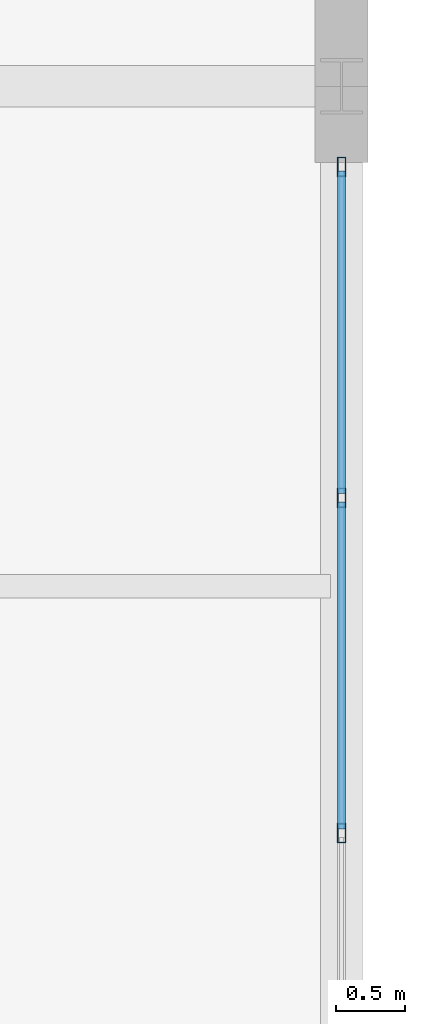
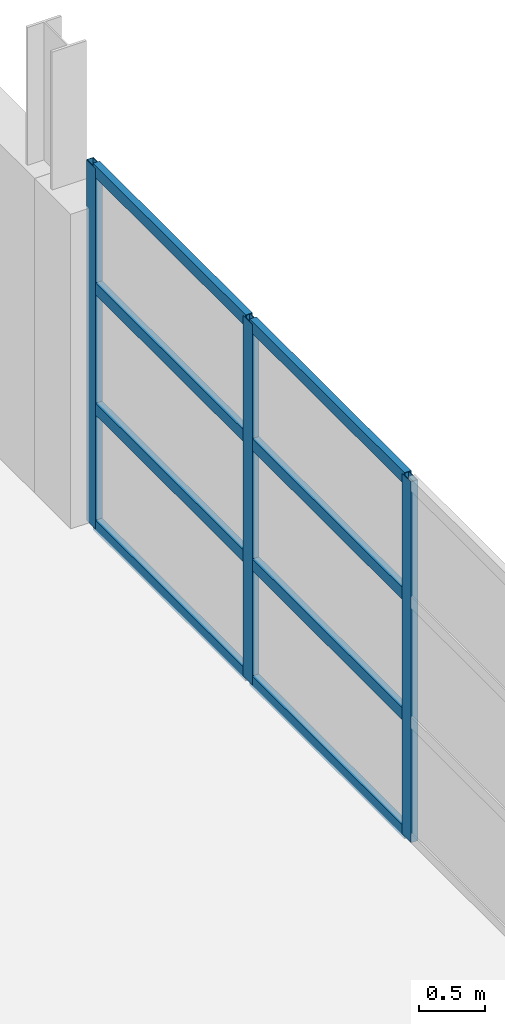
# One storey, part 111 of 158: 11 members, 1 element without a shape of its own.
"""IFC4 building model written with IfcOpenShell, lengths in metres."""

from ifc_helpers import new_model, si_unit, direction, frame, origin, origin_2d, place, context, subcontext, project, spatial, hollow_rectangle, extrude, material, layer, layer_set, material_profile, profile_set, type_object, element, aggregate, save


model = new_model("IFC4")

# Units and contexts
model_context = context("Model", 3, precision=1e-05, world=origin(), true_north=direction((0.0, 1.0)))
body_context = subcontext(model_context, "Body", "Model", "MODEL_VIEW")
ifc_project = project(units=[si_unit("LENGTHUNIT", "METRE"), si_unit("AREAUNIT", "SQUARE_METRE"), si_unit("VOLUMEUNIT", "CUBIC_METRE"), si_unit("PLANEANGLEUNIT", "RADIAN"), si_unit("MASSUNIT", "GRAM", prefix="KILO")], contexts=[model_context])

# Site, building, storey
site_placement = place(None, origin())
site = spatial("IfcSite", under=ifc_project, at=site_placement, CompositionType="ELEMENT")
building_placement = place(site_placement, origin())
building = spatial("IfcBuilding", under=site, at=building_placement, Name="Zilviju Railside Exhibition Hall", CompositionType="ELEMENT")
storey_placement = place(building_placement, frame((0.0, 0.0, 4.199951171875)))
storey = spatial("IfcBuildingStorey", under=building, at=storey_placement, Name="L02", CompositionType="ELEMENT", Elevation=4.199951171875)

# Curtain wall, members
ifc_material_1 = material(Name="Thermally broken aluminium-steel triple-glazed curtain wall", Category="steel")
ifc_layer = layer(ifc_material_1, 0.179931640625)
ifc_layer_set = layer_set([ifc_layer], Name="Thermally broken aluminium-steel triple-glazed curtain wall")
curtain_wall_type = type_object("IfcCurtainWallType", Name="CW-BAY-15", PredefinedType="USERDEFINED", material=ifc_layer_set)
curtain_wall_placement = place(storey_placement, origin())
curtain_wall = element("IfcCurtainWall", 1, at=curtain_wall_placement, inside=storey, type_object=curtain_wall_type, Name="North Hall East Glazed Gable L02 (84..102)", ObjectType="GLAZED CURTAIN WALL", PredefinedType="USERDEFINED")
ifc_material_2 = material(Name="Thermally broken anodized aluminium mullion", Category="aluminium")
ifc_material_profile_1 = material_profile(ifc_material_2, hollow_rectangle(XDim=0.06005859375, YDim=0.139892578125, WallThickness=0.0048828125, at=origin_2d()), Name="MULLION 140x60x5")
ifc_profile_set_1 = profile_set([ifc_material_profile_1], Name="Thermally broken anodized aluminium mullion")
member_type_1 = type_object("IfcMemberType", Name="CWM-60x140", PredefinedType="MULLION", material=ifc_profile_set_1)
member_1_placement = place(storey_placement, frame((216.0, 101.419921875, 0.0), z_axis=(0.0, 0.0, 1.0), x_axis=(1.0, 0.0, 0.0)))
member_1 = element("IfcMember", 2, at=member_1_placement, type_object=member_type_1, Name="CW-15 mullion 1", PredefinedType="MULLION", context=body_context, shape_type="SweptSolid", body=[
    extrude(hollow_rectangle(XDim=0.06005859375, YDim=0.139892578125, WallThickness=0.0048828125, at=origin_2d()), origin(), (0.0, 0.0, 1.0), 3.35009765625),
])
member_2_placement = place(storey_placement, frame((216.0, 99.03564453125, 0.0), z_axis=(0.0, 0.0, 1.0), x_axis=(1.0, 0.0, 0.0)))
member_2 = element("IfcMember", 3, at=member_2_placement, type_object=member_type_1, Name="CW-15 mullion 2", PredefinedType="MULLION", context=body_context, shape_type="SweptSolid", body=[
    extrude(hollow_rectangle(XDim=0.06005859375, YDim=0.139892578125, WallThickness=0.0048828125, at=origin_2d()), origin(), (0.0, 0.0, 1.0), 3.35009765625),
])
member_3_placement = place(storey_placement, frame((216.0, 96.621337890625, 0.0), z_axis=(0.0, 0.0, 1.0), x_axis=(1.0, 0.0, 0.0)))
member_3 = element("IfcMember", 4, at=member_3_placement, type_object=member_type_1, Name="CW-15 mullion 3", PredefinedType="MULLION", context=body_context, shape_type="SweptSolid", body=[
    extrude(hollow_rectangle(XDim=0.06005859375, YDim=0.139892578125, WallThickness=0.0048828125, at=origin_2d()), origin(), (0.0, 0.0, 1.0), 3.35009765625),
])
ifc_material_3 = material(Name="Thermally broken anodized aluminium transom", Category="aluminium")
ifc_material_profile_2 = material_profile(ifc_material_3, hollow_rectangle(XDim=0.06005859375, YDim=0.110107421875, WallThickness=0.0048828125, at=origin_2d()), Name="TRANSOM 110x60x5")
ifc_profile_set_2 = profile_set([ifc_material_profile_2], Name="Thermally broken anodized aluminium transom")
member_type_2 = type_object("IfcMemberType", Name="CWT-60x110", PredefinedType="USERDEFINED", material=ifc_profile_set_2)
member_4_placement = place(storey_placement, frame((216.0, 101.389892578125, 0.030029296875), z_axis=(0.0, -1.0, 0.0), x_axis=(1.0, 0.0, 0.0)))
member_4 = element("IfcMember", 5, at=member_4_placement, type_object=member_type_2, Name="CW-15 transom 1.1", ObjectType="TRANSOM", PredefinedType="USERDEFINED", context=body_context, shape_type="SweptSolid", body=[
    extrude(hollow_rectangle(XDim=0.06005859375, YDim=0.110107421875, WallThickness=0.0048828125, at=origin_2d()), origin(), (0.0, 0.0, 1.0), 2.32421875),
])
member_5_placement = place(storey_placement, frame((216.0, 101.389892578125, 1.116943359375), z_axis=(0.0, -1.0, 0.0), x_axis=(1.0, 0.0, 0.0)))
member_5 = element("IfcMember", 6, at=member_5_placement, type_object=member_type_2, Name="CW-15 transom 1.2", ObjectType="TRANSOM", PredefinedType="USERDEFINED", context=body_context, shape_type="SweptSolid", body=[
    extrude(hollow_rectangle(XDim=0.06005859375, YDim=0.110107421875, WallThickness=0.0048828125, at=origin_2d()), origin(), (0.0, 0.0, 1.0), 2.32421875),
])
member_6_placement = place(storey_placement, frame((216.0, 101.389892578125, 2.233154296875), z_axis=(0.0, -1.0, 0.0), x_axis=(1.0, 0.0, 0.0)))
member_6 = element("IfcMember", 7, at=member_6_placement, type_object=member_type_2, Name="CW-15 transom 1.3", ObjectType="TRANSOM", PredefinedType="USERDEFINED", context=body_context, shape_type="SweptSolid", body=[
    extrude(hollow_rectangle(XDim=0.06005859375, YDim=0.110107421875, WallThickness=0.0048828125, at=origin_2d()), origin(), (0.0, 0.0, 1.0), 2.32421875),
])
member_7_placement = place(storey_placement, frame((216.0, 101.389892578125, 3.320068359375), z_axis=(0.0, -1.0, 0.0), x_axis=(1.0, 0.0, 0.0)))
member_7 = element("IfcMember", 8, at=member_7_placement, type_object=member_type_2, Name="CW-15 transom 1.4", ObjectType="TRANSOM", PredefinedType="USERDEFINED", context=body_context, shape_type="SweptSolid", body=[
    extrude(hollow_rectangle(XDim=0.06005859375, YDim=0.110107421875, WallThickness=0.0048828125, at=origin_2d()), origin(), (0.0, 0.0, 1.0), 2.32421875),
])
member_8_placement = place(storey_placement, frame((216.0, 99.005615234375, 0.030029296875), z_axis=(0.0, -1.0, 0.0), x_axis=(1.0, 0.0, 0.0)))
member_8 = element("IfcMember", 9, at=member_8_placement, type_object=member_type_2, Name="CW-15 transom 2.1", ObjectType="TRANSOM", PredefinedType="USERDEFINED", context=body_context, shape_type="SweptSolid", body=[
    extrude(hollow_rectangle(XDim=0.06005859375, YDim=0.110107421875, WallThickness=0.0048828125, at=origin_2d()), origin(), (0.0, 0.0, 1.0), 2.354248046875),
])
member_9_placement = place(storey_placement, frame((216.0, 99.005615234375, 1.116943359375), z_axis=(0.0, -1.0, 0.0), x_axis=(1.0, 0.0, 0.0)))
member_9 = element("IfcMember", 10, at=member_9_placement, type_object=member_type_2, Name="CW-15 transom 2.2", ObjectType="TRANSOM", PredefinedType="USERDEFINED", context=body_context, shape_type="SweptSolid", body=[
    extrude(hollow_rectangle(XDim=0.06005859375, YDim=0.110107421875, WallThickness=0.0048828125, at=origin_2d()), origin(), (0.0, 0.0, 1.0), 2.354248046875),
])
member_10_placement = place(storey_placement, frame((216.0, 99.005615234375, 2.233154296875), z_axis=(0.0, -1.0, 0.0), x_axis=(1.0, 0.0, 0.0)))
member_10 = element("IfcMember", 11, at=member_10_placement, type_object=member_type_2, Name="CW-15 transom 2.3", ObjectType="TRANSOM", PredefinedType="USERDEFINED", context=body_context, shape_type="SweptSolid", body=[
    extrude(hollow_rectangle(XDim=0.06005859375, YDim=0.110107421875, WallThickness=0.0048828125, at=origin_2d()), origin(), (0.0, 0.0, 1.0), 2.354248046875),
])
member_11_placement = place(storey_placement, frame((216.0, 99.005615234375, 3.320068359375), z_axis=(0.0, -1.0, 0.0), x_axis=(1.0, 0.0, 0.0)))
member_11 = element("IfcMember", 12, at=member_11_placement, type_object=member_type_2, Name="CW-15 transom 2.4", ObjectType="TRANSOM", PredefinedType="USERDEFINED", context=body_context, shape_type="SweptSolid", body=[
    extrude(hollow_rectangle(XDim=0.06005859375, YDim=0.110107421875, WallThickness=0.0048828125, at=origin_2d()), origin(), (0.0, 0.0, 1.0), 2.354248046875),
])
aggregate(curtain_wall, [member_1, member_2, member_3, member_4, member_5, member_6, member_7, member_8, member_9, member_10, member_11])

save(model, "model.ifc")
